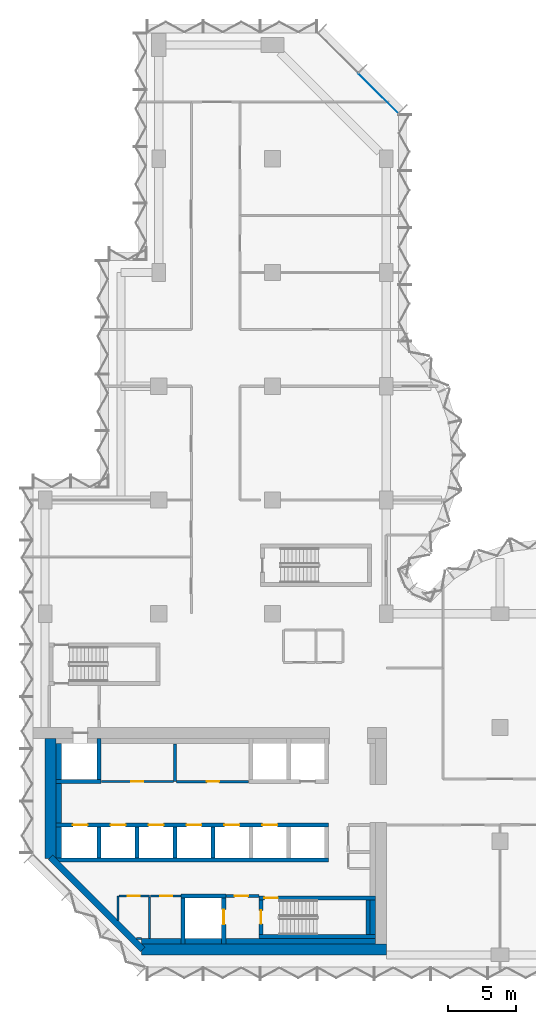
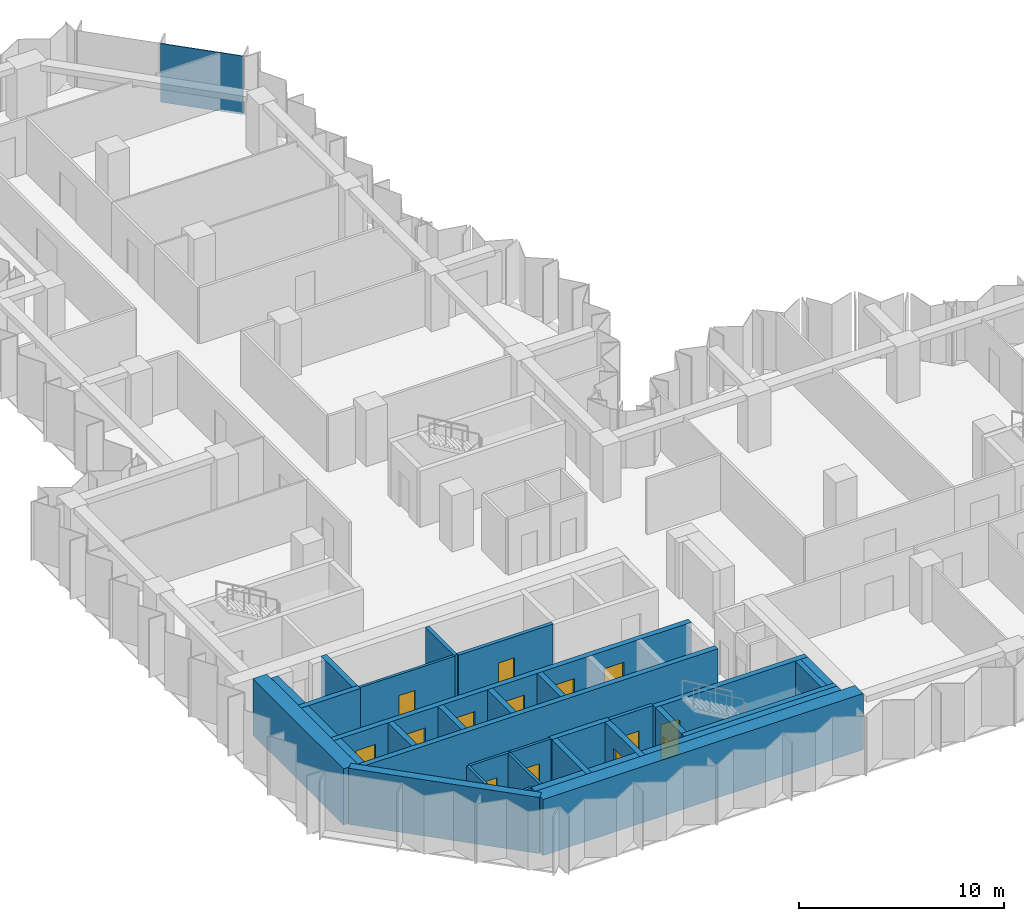
# One storey, part 5 of 11: 34 walls, 14 doors, 1 plate, 14 openings, 1 element without a shape of its own.
"""IFC4 building model written with IfcOpenShell, lengths in metres."""

from ifc_helpers import new_model, si_unit, direction, frame, frame_2d, origin, place, context, subcontext, project, spatial, polyline, rectangle, outline, extrude, material, layer, layer_set, type_object, element, fill, aggregate, save


model = new_model("IFC4")

# Units and contexts
model_context = context("Model", 3, precision=1e-05, world=origin(), true_north=direction((0.0, 1.0)))
body_context = subcontext(model_context, "Body", "Model", "MODEL_VIEW")
ifc_project = project(units=[si_unit("LENGTHUNIT", "METRE"), si_unit("AREAUNIT", "SQUARE_METRE"), si_unit("VOLUMEUNIT", "CUBIC_METRE"), si_unit("PLANEANGLEUNIT", "RADIAN"), si_unit("MASSUNIT", "GRAM", prefix="KILO")], contexts=[model_context])

# Site, building, storey
site_placement = place(None, origin())
site = spatial("IfcSite", under=ifc_project, at=site_placement, CompositionType="ELEMENT")
building_placement = place(site_placement, origin())
building = spatial("IfcBuilding", under=site, at=building_placement, Name="Brevane Broadcast Tower", CompositionType="ELEMENT")
storey_placement = place(building_placement, frame((0.0, 0.0, 145.699951171875)))
storey = spatial("IfcBuildingStorey", under=building, at=storey_placement, Name="L36", CompositionType="ELEMENT", Elevation=145.699951171875)

# Curtain wall, plate
ifc_material_1 = material(Name="Aluminium 6063-T6 bronze anodised", Category="aluminium")
curtain_wall_type = type_object("IfcCurtainWallType", Name="CW-1 curtain wall", PredefinedType="NOTDEFINED", material=ifc_material_1)
curtain_wall_placement = place(storey_placement, origin())
curtain_wall = element("IfcCurtainWall", 1, at=curtain_wall_placement, inside=storey, type_object=curtain_wall_type, Name="CW-1 typical tilted unit L36 north arm north-east chamfer", PredefinedType="NOTDEFINED")
ifc_material_2 = material(Name="Laminated glass bronze-tinted", Category="glass")
ifc_layer_1 = layer(ifc_material_2, 0.0400390625)
ifc_layer_set_1 = layer_set([ifc_layer_1], Name="CW tall glass panel 40")
plate_type = type_object("IfcPlateType", Name="CW tall glass panel 40", PredefinedType="CURTAIN_PANEL", material=ifc_layer_set_1)
plate_placement = place(storey_placement, frame((0.0, 0.0, -0.14990234375)))
plate = element("IfcPlate", 2, at=plate_placement, type_object=plate_type, Name="CW-1 glass panel", PredefinedType="CURTAIN_PANEL", context=body_context, shape_type="SweptSolid", body=[
    extrude(outline(polyline([(26.096435546875, 62.14599609375), (23.14599609375, 65.096435546875), (23.17431640625, 65.124755859375), (26.124755859375, 62.17431640625), (26.096435546875, 62.14599609375)])), origin(), (0.0, 0.0, 1.0), 3.5),
])
aggregate(curtain_wall, [plate])

# Walls
ifc_material_3 = material(Name="Concrete C32/40", Category="concrete")
ifc_layer_2 = layer(ifc_material_3, 0.39990234375)
ifc_layer_set_2 = layer_set([ifc_layer_2], Name="Core chase wall 400 mm")
wall_type_1 = type_object("IfcWallType", Name="Core chase wall 400 mm", PredefinedType="PARTITIONING", material=ifc_layer_set_2)
wall_1_placement = place(storey_placement, frame((1.0, 7.14990234375, 0.0), z_axis=(0.0, 0.0, 1.0), x_axis=(0.0, 1.0, 0.0)))
element("IfcWall", 3, at=wall_1_placement, inside=storey, type_object=wall_type_1, Name="L36 chase wall LW-2-1", PredefinedType="PARTITIONING", context=body_context, shape_type="SweptSolid", body=[
    extrude(rectangle(XDim=2.300048828125, YDim=0.39990234375, at=frame_2d((1.14990234375, 0.0))), origin(), (0.0, 0.0, 1.0), 3.35009765625),
])
wall_2_placement = place(storey_placement, frame((1.0, 9.75, 0.0), z_axis=(0.0, 0.0, 1.0), x_axis=(0.0, 1.0, 0.0)))
element("IfcWall", 4, at=wall_2_placement, inside=storey, type_object=wall_type_1, Name="L36 chase wall LW-2-2-1", PredefinedType="PARTITIONING", context=body_context, shape_type="SweptSolid", body=[
    extrude(rectangle(XDim=2.89990234375, YDim=0.39990234375, at=frame_2d((1.449951171875, 0.0))), origin(), (0.0, 0.0, 1.0), 3.35009765625),
])
wall_3_placement = place(storey_placement, frame((1.0, 12.949951171875, 0.0), z_axis=(0.0, 0.0, 1.0), x_axis=(0.0, 1.0, 0.0)))
element("IfcWall", 5, at=wall_3_placement, inside=storey, type_object=wall_type_1, Name="L36 chase wall LW-2-2-2", PredefinedType="PARTITIONING", context=body_context, shape_type="SweptSolid", body=[
    extrude(rectangle(XDim=2.650146484375, YDim=0.39990234375, at=frame_2d((1.3251953125, 0.0))), origin(), (0.0, 0.0, 1.0), 3.35009765625),
])
wall_4_placement = place(storey_placement, frame((7.136474609375, 1.0, 0.0), z_axis=(0.0, 0.0, 1.0), x_axis=(1.0, 0.0, 0.0)))
element("IfcWall", 6, at=wall_4_placement, inside=storey, type_object=wall_type_1, Name="L36 chase wall LS-1", PredefinedType="PARTITIONING", context=body_context, shape_type="SweptSolid", body=[
    extrude(rectangle(XDim=2.91357421875, YDim=0.39990234375, at=frame_2d((1.456787109375, 0.0))), origin(), (0.0, 0.0, 1.0), 3.35009765625),
])
wall_5_placement = place(storey_placement, frame((10.35009765625, 1.0, 0.0), z_axis=(0.0, 0.0, 1.0), x_axis=(1.0, 0.0, 0.0)))
element("IfcWall", 7, at=wall_5_placement, inside=storey, type_object=wall_type_1, Name="L36 chase wall LS-2-1", PredefinedType="PARTITIONING", context=body_context, shape_type="SweptSolid", body=[
    extrude(rectangle(XDim=2.699951171875, YDim=0.39990234375, at=frame_2d((1.35009765625, 0.0))), origin(), (0.0, 0.0, 1.0), 3.35009765625),
])
wall_6_placement = place(storey_placement, frame((13.35009765625, 1.0, 0.0), z_axis=(0.0, 0.0, 1.0), x_axis=(1.0, 0.0, 0.0)))
element("IfcWall", 8, at=wall_6_placement, inside=storey, type_object=wall_type_1, Name="L36 chase wall LS-2-2", PredefinedType="PARTITIONING", context=body_context, shape_type="SweptSolid", body=[
    extrude(rectangle(XDim=11.0498046875, YDim=0.39990234375, at=frame_2d((5.52490234375, 0.0))), origin(), (0.0, 0.0, 1.0), 3.35009765625),
])
wall_7_placement = place(storey_placement, frame((24.199951171875, 1.5, 0.0), z_axis=(0.0, 0.0, 1.0), x_axis=(0.0, 1.0, 0.0)))
element("IfcWall", 9, at=wall_7_placement, inside=storey, type_object=wall_type_1, Name="L36 chase wall LE1-2-1", PredefinedType="PARTITIONING", context=body_context, shape_type="SweptSolid", body=[
    extrude(rectangle(XDim=2.550048828125, YDim=0.39990234375, at=frame_2d((1.27490234375, 0.0))), origin(), (0.0, 0.0, 1.0), 3.35009765625),
])

# Wall, opening, door
ifc_material_4 = material(Name="Gypsum board on steel studs", Category="steel")
ifc_layer_3 = layer(ifc_material_4, 0.14990234375)
ifc_layer_set_3 = layer_set([ifc_layer_3], Name="Core fire partition 150 mm")
wall_type_2 = type_object("IfcWallType", Name="Core fire partition 150 mm", PredefinedType="PARTITIONING", material=ifc_layer_set_3)
wall_8_placement = place(storey_placement, frame((4.162109375, 12.800048828125, 0.0), z_axis=(0.0, 0.0, 1.0), x_axis=(1.0, 0.0, 0.0)))
wall_8 = element("IfcWall", 10, at=wall_8_placement, inside=storey, type_object=wall_type_2, Name="L36 partition wall P09", PredefinedType="PARTITIONING", context=body_context, shape_type="SweptSolid", body=[
    extrude(rectangle(XDim=5.337890625, YDim=0.14990234375, at=frame_2d((2.6689453125, 0.0))), origin(), (0.0, 0.0, 1.0), 3.35009765625),
])
opening_1_placement = place(wall_8_placement, frame((2.18798828125, 0.0, 0.0)))
opening_1 = element("IfcOpeningElement", 11, at=opening_1_placement, cuts=wall_8, Name="Opening L36-K21", PredefinedType="OPENING", context=body_context, shape_type="SweptSolid", body=[
    extrude(rectangle(XDim=0.89990234375, YDim=2.10009765625, at=frame_2d((0.449951171875, 1.050048828125))), frame((0.0, 0.0849609375, 0.0), z_axis=(0.0, -1.0, 0.0), x_axis=(1.0, 0.0, 0.0)), (0.0, 0.0, 1.0), 0.169921875),
])
ifc_material_5 = material(Name="Steel", Category="steel")
door_type_1 = type_object("IfcDoorType", Name="Service room door 900 x 2100", OperationType="SINGLE_SWING_LEFT", PredefinedType="DOOR", material=ifc_material_5)
door_1_placement = place(opening_1_placement, origin())
door_1 = element("IfcDoor", 12, at=door_1_placement, inside=storey, type_object=door_type_1, Name="Door L36-K21", OperationType="SINGLE_SWING_LEFT", OverallHeight=2.10009765625, OverallWidth=0.89990234375, PredefinedType="DOOR", context=body_context, shape_type="SweptSolid", body=[
    extrude(rectangle(XDim=0.89990234375, YDim=2.10009765625, at=frame_2d((0.449951171875, 1.050048828125))), frame((0.0, 0.02490234375, 0.0), z_axis=(0.0, -1.0, 0.0), x_axis=(1.0, 0.0, 0.0)), (0.0, 0.0, 1.0), 0.050048828125),
])
fill(opening_1, door_1)

# Wall
wall_9_placement = place(storey_placement, frame((5.39990234375, 2.553466796875, 0.0), z_axis=(0.0, 0.0, 1.0), x_axis=(0.0, 1.0, 0.0)))
element("IfcWall", 13, at=wall_9_placement, inside=storey, type_object=wall_type_2, Name="L36 partition wall P10", PredefinedType="PARTITIONING", context=body_context, shape_type="SweptSolid", body=[
    extrude(rectangle(XDim=1.796630859375, YDim=0.14990234375, at=frame_2d((0.8984375, 0.0))), origin(), (0.0, 0.0, 1.0), 3.35009765625),
])

# Wall, opening, door
wall_10_placement = place(storey_placement, frame((5.47509765625, 4.35009765625, 0.0), z_axis=(0.0, 0.0, 1.0), x_axis=(1.0, 0.0, 0.0)))
wall_10 = element("IfcWall", 14, at=wall_10_placement, inside=storey, type_object=wall_type_2, Name="L36 partition wall P11", PredefinedType="PARTITIONING", context=body_context, shape_type="SweptSolid", body=[
    extrude(rectangle(XDim=2.224853515625, YDim=0.14990234375, at=frame_2d((1.1123046875, 0.0))), origin(), (0.0, 0.0, 1.0), 3.35009765625),
])
opening_2_placement = place(wall_10_placement, frame((0.625, 0.0, 0.0)))
opening_2 = element("IfcOpeningElement", 15, at=opening_2_placement, cuts=wall_10, Name="Opening L36-K16", PredefinedType="OPENING", context=body_context, shape_type="SweptSolid", body=[
    extrude(rectangle(XDim=0.89990234375, YDim=2.10009765625, at=frame_2d((0.449951171875, 1.050048828125))), frame((0.0, 0.0849609375, 0.0), z_axis=(0.0, -1.0, 0.0), x_axis=(1.0, 0.0, 0.0)), (0.0, 0.0, 1.0), 0.169921875),
])
ifc_material_6 = material(Name="Timber", Category="wood")
door_type_2 = type_object("IfcDoorType", Name="Toilet door 900 x 2100", OperationType="SINGLE_SWING_LEFT", PredefinedType="DOOR", material=ifc_material_6)
door_2_placement = place(opening_2_placement, origin())
door_2 = element("IfcDoor", 16, at=door_2_placement, inside=storey, type_object=door_type_2, Name="Door L36-K16", OperationType="SINGLE_SWING_RIGHT", OverallHeight=2.10009765625, OverallWidth=0.89990234375, PredefinedType="DOOR", context=body_context, shape_type="SweptSolid", body=[
    extrude(rectangle(XDim=0.89990234375, YDim=2.10009765625, at=frame_2d((0.449951171875, 1.050048828125))), frame((0.0, 0.02490234375, 0.0), z_axis=(0.0, -1.0, 0.0), x_axis=(1.0, 0.0, 0.0)), (0.0, 0.0, 1.0), 0.050048828125),
])
fill(opening_2, door_2)

# Walls
wall_11_placement = place(storey_placement, frame((7.699951171875, 4.27490234375, 0.0), z_axis=(0.0, 0.0, 1.0), x_axis=(0.0, -1.0, 0.0)))
element("IfcWall", 17, at=wall_11_placement, inside=storey, type_object=wall_type_2, Name="L36 partition wall P12", PredefinedType="PARTITIONING", context=body_context, shape_type="SweptSolid", body=[
    extrude(rectangle(XDim=3.06298828125, YDim=0.14990234375, at=frame_2d((1.531494140625, 0.0))), origin(), (0.0, 0.0, 1.0), 3.35009765625),
])
wall_12_placement = place(storey_placement, frame((7.12451171875, 1.199951171875, 0.0), z_axis=(0.0, 0.0, 1.0), x_axis=(-1.0, 0.0, 0.0)))
element("IfcWall", 18, at=wall_12_placement, inside=storey, type_object=wall_type_2, Name="L36 partition wall P13", PredefinedType="PARTITIONING", context=body_context, shape_type="SweptSolid", body=[
    extrude(rectangle(XDim=0.37109375, YDim=0.14990234375, at=frame_2d((0.185546875, 0.0))), origin(), (0.0, 0.0, 1.0), 3.35009765625),
])

# Wall, opening, door
wall_13_placement = place(storey_placement, frame((10.0380859375, 4.35009765625, 0.0), z_axis=(0.0, 0.0, 1.0), x_axis=(-1.0, 0.0, 0.0)))
wall_13 = element("IfcWall", 19, at=wall_13_placement, inside=storey, type_object=wall_type_2, Name="L36 partition wall P14", PredefinedType="PARTITIONING", context=body_context, shape_type="SweptSolid", body=[
    extrude(rectangle(XDim=2.26318359375, YDim=0.14990234375, at=frame_2d((1.131591796875, 0.0))), origin(), (0.0, 0.0, 1.0), 3.35009765625),
])
opening_3_placement = place(wall_13_placement, frame((0.637939453125, 0.0, 0.0)))
opening_3 = element("IfcOpeningElement", 20, at=opening_3_placement, cuts=wall_13, Name="Opening L36-K17", PredefinedType="OPENING", context=body_context, shape_type="SweptSolid", body=[
    extrude(rectangle(XDim=0.89990234375, YDim=2.10009765625, at=frame_2d((0.449951171875, 1.050048828125))), frame((0.0, 0.0849609375, 0.0), z_axis=(0.0, -1.0, 0.0), x_axis=(1.0, 0.0, 0.0)), (0.0, 0.0, 1.0), 0.169921875),
])
door_3_placement = place(opening_3_placement, origin())
door_3 = element("IfcDoor", 21, at=door_3_placement, inside=storey, type_object=door_type_2, Name="Door L36-K17", OperationType="SINGLE_SWING_LEFT", OverallHeight=2.10009765625, OverallWidth=0.89990234375, PredefinedType="DOOR", context=body_context, shape_type="SweptSolid", body=[
    extrude(rectangle(XDim=0.89990234375, YDim=2.10009765625, at=frame_2d((0.449951171875, 1.050048828125))), frame((0.0, 0.02490234375, 0.0), z_axis=(0.0, -1.0, 0.0), x_axis=(1.0, 0.0, 0.0)), (0.0, 0.0, 1.0), 0.050048828125),
])
fill(opening_3, door_3)

ifc_layer_4 = layer(ifc_material_4, 0.199951171875)
ifc_layer_set_4 = layer_set([ifc_layer_4], Name="Core fire partition 200 mm")
wall_type_3 = type_object("IfcWallType", Name="Core fire partition 200 mm", PredefinedType="PARTITIONING", material=ifc_layer_set_4)
wall_14_placement = place(storey_placement, frame((13.362060546875, 4.35009765625, 0.0), z_axis=(0.0, 0.0, 1.0), x_axis=(1.0, 0.0, 0.0)))
wall_14 = element("IfcWall", 22, at=wall_14_placement, inside=storey, type_object=wall_type_3, Name="L36 partition wall P03", PredefinedType="PARTITIONING", context=body_context, shape_type="SweptSolid", body=[
    extrude(rectangle(XDim=2.426025390625, YDim=0.199951171875, at=frame_2d((1.212890625, 0.0))), origin(), (0.0, 0.0, 1.0), 3.35009765625),
])
opening_4_placement = place(wall_14_placement, frame((0.637939453125, 0.0, 0.0)))
opening_4 = element("IfcOpeningElement", 23, at=opening_4_placement, cuts=wall_14, Name="Opening L36-K18", PredefinedType="OPENING", context=body_context, shape_type="SweptSolid", body=[
    extrude(rectangle(XDim=1.0, YDim=2.10009765625, at=frame_2d((0.5, 1.050048828125))), frame((0.0, 0.10986328125, 0.0), z_axis=(0.0, -1.0, 0.0), x_axis=(1.0, 0.0, 0.0)), (0.0, 0.0, 1.0), 0.219970703125),
])
door_type_3 = type_object("IfcDoorType", Name="Stair door 1000 x 2100", OperationType="SINGLE_SWING_LEFT", PredefinedType="DOOR", material=ifc_material_5)
door_4_placement = place(opening_4_placement, origin())
door_4 = element("IfcDoor", 24, at=door_4_placement, inside=storey, type_object=door_type_3, Name="Door L36-K18", OperationType="SINGLE_SWING_RIGHT", OverallHeight=2.10009765625, OverallWidth=1.0, PredefinedType="DOOR", context=body_context, shape_type="SweptSolid", body=[
    extrude(rectangle(XDim=1.0, YDim=2.10009765625, at=frame_2d((0.5, 1.050048828125))), frame((0.0, 0.02490234375, 0.0), z_axis=(0.0, -1.0, 0.0), x_axis=(1.0, 0.0, 0.0)), (0.0, 0.0, 1.0), 0.050048828125),
])
fill(opening_4, door_4)

# Wall
wall_15_placement = place(storey_placement, frame((9.60009765625, 15.587890625, 0.0), z_axis=(0.0, 0.0, 1.0), x_axis=(0.0, -1.0, 0.0)))
element("IfcWall", 25, at=wall_15_placement, inside=storey, type_object=wall_type_3, Name="L36 partition wall P04", PredefinedType="PARTITIONING", context=body_context, shape_type="SweptSolid", body=[
    extrude(rectangle(XDim=2.787841796875, YDim=0.199951171875, at=frame_2d((1.39404296875, 0.0))), origin(), (0.0, 0.0, 1.0), 3.35009765625),
])

# Wall, opening, door
wall_16_placement = place(storey_placement, frame((9.699951171875, 12.800048828125, 0.0), z_axis=(0.0, 0.0, 1.0), x_axis=(1.0, 0.0, 0.0)))
wall_16 = element("IfcWall", 26, at=wall_16_placement, inside=storey, type_object=wall_type_3, Name="L36 partition wall P05", PredefinedType="PARTITIONING", context=body_context, shape_type="SweptSolid", body=[
    extrude(rectangle(XDim=5.338134765625, YDim=0.199951171875, at=frame_2d((2.6689453125, 0.0))), origin(), (0.0, 0.0, 1.0), 3.35009765625),
])
opening_5_placement = place(wall_16_placement, frame((2.25, 0.0, 0.0)))
opening_5 = element("IfcOpeningElement", 27, at=opening_5_placement, cuts=wall_16, Name="Opening L36-K22", PredefinedType="OPENING", context=body_context, shape_type="SweptSolid", body=[
    extrude(rectangle(XDim=0.89990234375, YDim=2.10009765625, at=frame_2d((0.449951171875, 1.050048828125))), frame((0.0, 0.10986328125, 0.0), z_axis=(0.0, -1.0, 0.0), x_axis=(1.0, 0.0, 0.0)), (0.0, 0.0, 1.0), 0.219970703125),
])
door_5_placement = place(opening_5_placement, origin())
door_5 = element("IfcDoor", 28, at=door_5_placement, inside=storey, type_object=door_type_1, Name="Door L36-K22", OperationType="SINGLE_SWING_RIGHT", OverallHeight=2.10009765625, OverallWidth=0.89990234375, PredefinedType="DOOR", context=body_context, shape_type="SweptSolid", body=[
    extrude(rectangle(XDim=0.89990234375, YDim=2.10009765625, at=frame_2d((0.449951171875, 1.050048828125))), frame((0.0, 0.02490234375, 0.0), z_axis=(0.0, -1.0, 0.0), x_axis=(1.0, 0.0, 0.0)), (0.0, 0.0, 1.0), 0.050048828125),
])
fill(opening_5, door_5)

# Wall
ifc_material_7 = material(Name="Concrete C60/75", Category="concrete")
ifc_layer_5 = layer(ifc_material_7, 0.300048828125)
ifc_layer_set_5 = layer_set([ifc_layer_5], Name="Core wall 300 mm C60/75")
wall_type_4 = type_object("IfcWallType", Name="Core wall 300 mm C60/75", PredefinedType="SHEAR", material=ifc_layer_set_5)
wall_17_placement = place(storey_placement, frame((0.800048828125, 7.0, 0.0), z_axis=(0.0, 0.0, 1.0), x_axis=(1.0, 0.0, 0.0)))
element("IfcWall", 29, at=wall_17_placement, inside=storey, type_object=wall_type_4, Name="L36 shaft wall SH-S012-back", PredefinedType="SHEAR", context=body_context, shape_type="SweptSolid", body=[
    extrude(rectangle(XDim=20.14990234375, YDim=0.300048828125, at=frame_2d((10.074951171875, 0.0))), origin(), (0.0, 0.0, 1.0), 3.35009765625),
])

# Wall, openings, doors
wall_18_placement = place(storey_placement, frame((0.800048828125, 9.60009765625, 0.0), z_axis=(0.0, 0.0, 1.0), x_axis=(1.0, 0.0, 0.0)))
wall_18 = element("IfcWall", 30, at=wall_18_placement, inside=storey, type_object=wall_type_4, Name="L36 shaft wall SH-S012-front", PredefinedType="SHEAR", context=body_context, shape_type="SweptSolid", body=[
    extrude(rectangle(XDim=20.14990234375, YDim=0.300048828125, at=frame_2d((10.074951171875, 0.0))), origin(), (0.0, 0.0, 1.0), 3.35009765625),
])
opening_6_placement = place(wall_18_placement, frame((1.25, 0.0, 0.0)))
opening_6 = element("IfcOpeningElement", 31, at=opening_6_placement, cuts=wall_18, Name="Opening LD", PredefinedType="OPENING", context=body_context, shape_type="SweptSolid", body=[
    extrude(rectangle(XDim=1.10009765625, YDim=2.300048828125, at=frame_2d((0.550048828125, 1.14990234375))), frame((0.0, 0.159912109375, 0.0), z_axis=(0.0, -1.0, 0.0), x_axis=(1.0, 0.0, 0.0)), (0.0, 0.0, 1.0), 0.320068359375),
])
opening_7_placement = place(wall_18_placement, frame((4.050048828125, 0.0, 0.0)))
opening_7 = element("IfcOpeningElement", 32, at=opening_7_placement, cuts=wall_18, Name="Opening LD", PredefinedType="OPENING", context=body_context, shape_type="SweptSolid", body=[
    extrude(rectangle(XDim=1.10009765625, YDim=2.300048828125, at=frame_2d((0.550048828125, 1.14990234375))), frame((0.0, 0.159912109375, 0.0), z_axis=(0.0, -1.0, 0.0), x_axis=(1.0, 0.0, 0.0)), (0.0, 0.0, 1.0), 0.320068359375),
])
opening_8_placement = place(wall_18_placement, frame((6.85009765625, 0.0, 0.0)))
opening_8 = element("IfcOpeningElement", 33, at=opening_8_placement, cuts=wall_18, Name="Opening LD", PredefinedType="OPENING", context=body_context, shape_type="SweptSolid", body=[
    extrude(rectangle(XDim=1.10009765625, YDim=2.300048828125, at=frame_2d((0.550048828125, 1.14990234375))), frame((0.0, 0.159912109375, 0.0), z_axis=(0.0, -1.0, 0.0), x_axis=(1.0, 0.0, 0.0)), (0.0, 0.0, 1.0), 0.320068359375),
])
opening_9_placement = place(wall_18_placement, frame((9.64990234375, 0.0, 0.0)))
opening_9 = element("IfcOpeningElement", 34, at=opening_9_placement, cuts=wall_18, Name="Opening LD", PredefinedType="OPENING", context=body_context, shape_type="SweptSolid", body=[
    extrude(rectangle(XDim=1.10009765625, YDim=2.300048828125, at=frame_2d((0.550048828125, 1.14990234375))), frame((0.0, 0.159912109375, 0.0), z_axis=(0.0, -1.0, 0.0), x_axis=(1.0, 0.0, 0.0)), (0.0, 0.0, 1.0), 0.320068359375),
])
opening_10_placement = place(wall_18_placement, frame((12.449951171875, 0.0, 0.0)))
opening_10 = element("IfcOpeningElement", 35, at=opening_10_placement, cuts=wall_18, Name="Opening LD", PredefinedType="OPENING", context=body_context, shape_type="SweptSolid", body=[
    extrude(rectangle(XDim=1.10009765625, YDim=2.300048828125, at=frame_2d((0.550048828125, 1.14990234375))), frame((0.0, 0.159912109375, 0.0), z_axis=(0.0, -1.0, 0.0), x_axis=(1.0, 0.0, 0.0)), (0.0, 0.0, 1.0), 0.320068359375),
])
opening_11_placement = place(wall_18_placement, frame((15.25, 0.0, 0.0)))
opening_11 = element("IfcOpeningElement", 36, at=opening_11_placement, cuts=wall_18, Name="Opening LD", PredefinedType="OPENING", context=body_context, shape_type="SweptSolid", body=[
    extrude(rectangle(XDim=1.10009765625, YDim=2.300048828125, at=frame_2d((0.550048828125, 1.14990234375))), frame((0.0, 0.159912109375, 0.0), z_axis=(0.0, -1.0, 0.0), x_axis=(1.0, 0.0, 0.0)), (0.0, 0.0, 1.0), 0.320068359375),
])
ifc_material_8 = material(Name="Stainless steel", Category="steel")
door_type_4 = type_object("IfcDoorType", Name="Lift landing door", OperationType="SLIDING_TO_LEFT", PredefinedType="DOOR", material=ifc_material_8)
door_6_placement = place(opening_6_placement, origin())
door_6 = element("IfcDoor", 37, at=door_6_placement, inside=storey, type_object=door_type_4, Name="Landing door LR1 L36", OperationType="SLIDING_TO_LEFT", OverallHeight=2.300048828125, OverallWidth=1.10009765625, PredefinedType="DOOR", context=body_context, shape_type="SweptSolid", body=[
    extrude(rectangle(XDim=1.10009765625, YDim=2.300048828125, at=frame_2d((0.550048828125, 1.14990234375))), frame((0.0, 0.02490234375, 0.0), z_axis=(0.0, -1.0, 0.0), x_axis=(1.0, 0.0, 0.0)), (0.0, 0.0, 1.0), 0.050048828125),
])
fill(opening_6, door_6)
door_7_placement = place(opening_7_placement, origin())
door_7 = element("IfcDoor", 38, at=door_7_placement, inside=storey, type_object=door_type_4, Name="Landing door LR2 L36", OperationType="SLIDING_TO_LEFT", OverallHeight=2.300048828125, OverallWidth=1.10009765625, PredefinedType="DOOR", context=body_context, shape_type="SweptSolid", body=[
    extrude(rectangle(XDim=1.10009765625, YDim=2.300048828125, at=frame_2d((0.550048828125, 1.14990234375))), frame((0.0, 0.02490234375, 0.0), z_axis=(0.0, -1.0, 0.0), x_axis=(1.0, 0.0, 0.0)), (0.0, 0.0, 1.0), 0.050048828125),
])
fill(opening_7, door_7)
door_8_placement = place(opening_8_placement, origin())
door_8 = element("IfcDoor", 39, at=door_8_placement, inside=storey, type_object=door_type_4, Name="Landing door LR3 L36", OperationType="SLIDING_TO_LEFT", OverallHeight=2.300048828125, OverallWidth=1.10009765625, PredefinedType="DOOR", context=body_context, shape_type="SweptSolid", body=[
    extrude(rectangle(XDim=1.10009765625, YDim=2.300048828125, at=frame_2d((0.550048828125, 1.14990234375))), frame((0.0, 0.02490234375, 0.0), z_axis=(0.0, -1.0, 0.0), x_axis=(1.0, 0.0, 0.0)), (0.0, 0.0, 1.0), 0.050048828125),
])
fill(opening_8, door_8)
door_9_placement = place(opening_9_placement, origin())
door_9 = element("IfcDoor", 40, at=door_9_placement, inside=storey, type_object=door_type_4, Name="Landing door LR4 L36", OperationType="SLIDING_TO_LEFT", OverallHeight=2.300048828125, OverallWidth=1.10009765625, PredefinedType="DOOR", context=body_context, shape_type="SweptSolid", body=[
    extrude(rectangle(XDim=1.10009765625, YDim=2.300048828125, at=frame_2d((0.550048828125, 1.14990234375))), frame((0.0, 0.02490234375, 0.0), z_axis=(0.0, -1.0, 0.0), x_axis=(1.0, 0.0, 0.0)), (0.0, 0.0, 1.0), 0.050048828125),
])
fill(opening_9, door_9)
door_10_placement = place(opening_10_placement, origin())
door_10 = element("IfcDoor", 41, at=door_10_placement, inside=storey, type_object=door_type_4, Name="Landing door LR5 L36", OperationType="SLIDING_TO_LEFT", OverallHeight=2.300048828125, OverallWidth=1.10009765625, PredefinedType="DOOR", context=body_context, shape_type="SweptSolid", body=[
    extrude(rectangle(XDim=1.10009765625, YDim=2.300048828125, at=frame_2d((0.550048828125, 1.14990234375))), frame((0.0, 0.02490234375, 0.0), z_axis=(0.0, -1.0, 0.0), x_axis=(1.0, 0.0, 0.0)), (0.0, 0.0, 1.0), 0.050048828125),
])
fill(opening_10, door_10)
door_11_placement = place(opening_11_placement, origin())
door_11 = element("IfcDoor", 42, at=door_11_placement, inside=storey, type_object=door_type_4, Name="Landing door LR6 L36", OperationType="SLIDING_TO_LEFT", OverallHeight=2.300048828125, OverallWidth=1.10009765625, PredefinedType="DOOR", context=body_context, shape_type="SweptSolid", body=[
    extrude(rectangle(XDim=1.10009765625, YDim=2.300048828125, at=frame_2d((0.550048828125, 1.14990234375))), frame((0.0, 0.02490234375, 0.0), z_axis=(0.0, -1.0, 0.0), x_axis=(1.0, 0.0, 0.0)), (0.0, 0.0, 1.0), 0.050048828125),
])
fill(opening_11, door_11)

# Walls
for number, where, z_axis, x_axis, name in (
    (43, (4.0, 7.14990234375, 0.0), (0.0, 0.0, 1.0), (0.0, 1.0, 0.0), "L36 shaft wall SH-S-P040"),
    (44, (6.800048828125, 7.14990234375, 0.0), (0.0, 0.0, 1.0), (0.0, 1.0, 0.0), "L36 shaft wall SH-S-P068"),
    (45, (9.60009765625, 7.14990234375, 0.0), (0.0, 0.0, 1.0), (0.0, 1.0, 0.0), "L36 shaft wall SH-S-P096"),
    (46, (12.39990234375, 7.14990234375, 0.0), (0.0, 0.0, 1.0), (0.0, 1.0, 0.0), "L36 shaft wall SH-S-P124"),
):
    element("IfcWall", number, at=place(storey_placement, frame(where, z_axis=z_axis, x_axis=x_axis)), inside=storey, type_object=wall_type_4, Name=name, PredefinedType="SHEAR", context=body_context, shape_type="SweptSolid", body=[
        extrude(rectangle(XDim=2.300048828125, YDim=0.300048828125, at=frame_2d((1.14990234375, 0.0))), origin(), (0.0, 0.0, 1.0), 3.35009765625),
    ])
wall_19_placement = place(storey_placement, frame((0.800048828125, 12.800048828125, 0.0), z_axis=(0.0, 0.0, 1.0), x_axis=(1.0, 0.0, 0.0)))
element("IfcWall", 47, at=wall_19_placement, inside=storey, type_object=wall_type_4, Name="L36 shaft wall SH-N012-front", PredefinedType="SHEAR", context=body_context, shape_type="SweptSolid", body=[
    extrude(rectangle(XDim=3.349853515625, YDim=0.300048828125, at=frame_2d((1.6748046875, 0.0))), origin(), (0.0, 0.0, 1.0), 3.35009765625),
])
wall_20_placement = place(storey_placement, frame((4.0, 12.949951171875, 0.0), z_axis=(0.0, 0.0, 1.0), x_axis=(0.0, 1.0, 0.0)))
element("IfcWall", 48, at=wall_20_placement, inside=storey, type_object=wall_type_4, Name="L36 shaft wall SH-N-P040", PredefinedType="SHEAR", context=body_context, shape_type="SweptSolid", body=[
    extrude(rectangle(XDim=3.050048828125, YDim=0.300048828125, at=frame_2d((1.52490234375, 0.0))), origin(), (0.0, 0.0, 1.0), 3.35009765625),
])
wall_21_placement = place(storey_placement, frame((10.199951171875, 0.800048828125, 0.0), z_axis=(0.0, 0.0, 1.0), x_axis=(0.0, 1.0, 0.0)))
element("IfcWall", 49, at=wall_21_placement, inside=storey, type_object=wall_type_4, Name="L36 shaft wall FF2-W", PredefinedType="SHEAR", context=body_context, shape_type="SweptSolid", body=[
    extrude(rectangle(XDim=3.39990234375, YDim=0.300048828125, at=frame_2d((1.699951171875, 0.0))), origin(), (0.0, 0.0, 1.0), 3.35009765625),
])

# Wall, opening, door
wall_22_placement = place(storey_placement, frame((13.199951171875, 0.800048828125, 0.0), z_axis=(0.0, 0.0, 1.0), x_axis=(0.0, 1.0, 0.0)))
wall_22 = element("IfcWall", 50, at=wall_22_placement, inside=storey, type_object=wall_type_4, Name="L36 shaft wall FF2-E", PredefinedType="SHEAR", context=body_context, shape_type="SweptSolid", body=[
    extrude(rectangle(XDim=3.39990234375, YDim=0.300048828125, at=frame_2d((1.699951171875, 0.0))), origin(), (0.0, 0.0, 1.0), 3.35009765625),
])
opening_12_placement = place(wall_22_placement, frame((1.449951171875, 0.0, 0.0)))
opening_12 = element("IfcOpeningElement", 51, at=opening_12_placement, cuts=wall_22, Name="Opening LD", PredefinedType="OPENING", context=body_context, shape_type="SweptSolid", body=[
    extrude(rectangle(XDim=1.10009765625, YDim=2.300048828125, at=frame_2d((0.550048828125, 1.14990234375))), frame((0.0, 0.159912109375, 0.0), z_axis=(0.0, -1.0, 0.0), x_axis=(1.0, 0.0, 0.0)), (0.0, 0.0, 1.0), 0.320068359375),
])
door_12_placement = place(opening_12_placement, origin())
door_12 = element("IfcDoor", 52, at=door_12_placement, inside=storey, type_object=door_type_4, Name="Landing door FF2 L36", OperationType="SLIDING_TO_LEFT", OverallHeight=2.300048828125, OverallWidth=1.10009765625, PredefinedType="DOOR", context=body_context, shape_type="SweptSolid", body=[
    extrude(rectangle(XDim=1.10009765625, YDim=2.300048828125, at=frame_2d((0.550048828125, 1.14990234375))), frame((0.0, 0.02490234375, 0.0), z_axis=(0.0, -1.0, 0.0), x_axis=(1.0, 0.0, 0.0)), (0.0, 0.0, 1.0), 0.050048828125),
])
fill(opening_12, door_12)

# Walls
wall_23_placement = place(storey_placement, frame((10.050048828125, 4.35009765625, 0.0), z_axis=(0.0, 0.0, 1.0), x_axis=(1.0, 0.0, 0.0)))
element("IfcWall", 53, at=wall_23_placement, inside=storey, type_object=wall_type_4, Name="L36 shaft wall FF2-N", PredefinedType="SHEAR", context=body_context, shape_type="SweptSolid", body=[
    extrude(rectangle(XDim=3.300048828125, YDim=0.300048828125, at=frame_2d((1.64990234375, 0.0))), origin(), (0.0, 0.0, 1.0), 3.35009765625),
])
wall_24_placement = place(storey_placement, frame((15.800048828125, 1.35009765625, 0.0), z_axis=(0.0, 0.0, 1.0), x_axis=(1.0, 0.0, 0.0)))
element("IfcWall", 54, at=wall_24_placement, inside=storey, type_object=wall_type_4, Name="L36 stair wall ST-2-S", PredefinedType="SHEAR", context=body_context, shape_type="SweptSolid", body=[
    extrude(rectangle(XDim=8.599853515625, YDim=0.300048828125, at=frame_2d((4.2998046875, 0.0))), origin(), (0.0, 0.0, 1.0), 3.35009765625),
])

# Wall, opening, door
wall_25_placement = place(storey_placement, frame((15.800048828125, 4.199951171875, 0.0), z_axis=(0.0, 0.0, 1.0), x_axis=(1.0, 0.0, 0.0)))
wall_25 = element("IfcWall", 55, at=wall_25_placement, inside=storey, type_object=wall_type_4, Name="L36 stair wall ST-2-N", PredefinedType="SHEAR", context=body_context, shape_type="SweptSolid", body=[
    extrude(rectangle(XDim=8.599853515625, YDim=0.300048828125, at=frame_2d((4.2998046875, 0.0))), origin(), (0.0, 0.0, 1.0), 3.35009765625),
])
opening_13_placement = place(wall_25_placement, frame((0.39990234375, 0.0, 0.0)))
opening_13 = element("IfcOpeningElement", 56, at=opening_13_placement, cuts=wall_25, Name="Opening L36-K13", PredefinedType="OPENING", context=body_context, shape_type="SweptSolid", body=[
    extrude(rectangle(XDim=1.0, YDim=2.10009765625, at=frame_2d((0.5, 1.050048828125))), frame((0.0, 0.159912109375, 0.0), z_axis=(0.0, -1.0, 0.0), x_axis=(1.0, 0.0, 0.0)), (0.0, 0.0, 1.0), 0.320068359375),
])
door_13_placement = place(opening_13_placement, origin())
door_13 = element("IfcDoor", 57, at=door_13_placement, inside=storey, type_object=door_type_3, Name="Door L36-K13", OperationType="SINGLE_SWING_LEFT", OverallHeight=2.10009765625, OverallWidth=1.0, PredefinedType="DOOR", context=body_context, shape_type="SweptSolid", body=[
    extrude(rectangle(XDim=1.0, YDim=2.10009765625, at=frame_2d((0.5, 1.050048828125))), frame((0.0, 0.02490234375, 0.0), z_axis=(0.0, -1.0, 0.0), x_axis=(1.0, 0.0, 0.0)), (0.0, 0.0, 1.0), 0.050048828125),
])
fill(opening_13, door_13)

wall_26_placement = place(storey_placement, frame((15.949951171875, 1.5, 0.0), z_axis=(0.0, 0.0, 1.0), x_axis=(0.0, 1.0, 0.0)))
wall_26 = element("IfcWall", 58, at=wall_26_placement, inside=storey, type_object=wall_type_4, Name="L36 stair wall ST-2-W", PredefinedType="SHEAR", context=body_context, shape_type="SweptSolid", body=[
    extrude(rectangle(XDim=2.550048828125, YDim=0.300048828125, at=frame_2d((1.27490234375, 0.0))), origin(), (0.0, 0.0, 1.0), 3.35009765625),
])
opening_14_placement = place(wall_26_placement, frame((0.800048828125, 0.0, 0.0)))
opening_14 = element("IfcOpeningElement", 59, at=opening_14_placement, cuts=wall_26, Name="Opening L36-K12", PredefinedType="OPENING", context=body_context, shape_type="SweptSolid", body=[
    extrude(rectangle(XDim=1.0, YDim=2.10009765625, at=frame_2d((0.5, 1.050048828125))), frame((0.0, 0.159912109375, 0.0), z_axis=(0.0, -1.0, 0.0), x_axis=(1.0, 0.0, 0.0)), (0.0, 0.0, 1.0), 0.320068359375),
])
door_14_placement = place(opening_14_placement, origin())
door_14 = element("IfcDoor", 60, at=door_14_placement, inside=storey, type_object=door_type_3, Name="Door L36-K12", OperationType="SINGLE_SWING_RIGHT", OverallHeight=2.10009765625, OverallWidth=1.0, PredefinedType="DOOR", context=body_context, shape_type="SweptSolid", body=[
    extrude(rectangle(XDim=1.0, YDim=2.10009765625, at=frame_2d((0.5, 1.050048828125))), frame((0.0, 0.02490234375, 0.0), z_axis=(0.0, -1.0, 0.0), x_axis=(1.0, 0.0, 0.0)), (0.0, 0.0, 1.0), 0.050048828125),
])
fill(opening_14, door_14)

# Walls
wall_27_placement = place(storey_placement, frame((23.85009765625, 1.5, 0.0), z_axis=(0.0, 0.0, 1.0), x_axis=(0.0, 1.0, 0.0)))
element("IfcWall", 61, at=wall_27_placement, inside=storey, type_object=wall_type_4, Name="L36 stair wall ST-2-E", PredefinedType="SHEAR", context=body_context, shape_type="SweptSolid", body=[
    extrude(rectangle(XDim=2.550048828125, YDim=0.300048828125, at=frame_2d((1.27490234375, 0.0))), origin(), (0.0, 0.0, 1.0), 3.35009765625),
])
ifc_layer_6 = layer(ifc_material_7, 0.449951171875)
ifc_layer_set_6 = layer_set([ifc_layer_6], Name="Core wall 450 mm C60/75")
wall_type_5 = type_object("IfcWallType", Name="Core wall 450 mm C60/75", PredefinedType="SHEAR", material=ifc_layer_set_6)
wall_28_placement = place(storey_placement, frame((0.39990234375, 7.21826171875, 0.0), z_axis=(0.0, 0.0, 1.0), x_axis=(0.707106781187, -0.707106781187, 0.0)))
element("IfcWall", 62, at=wall_28_placement, inside=storey, type_object=wall_type_5, Name="L36 outer wall WC", PredefinedType="SHEAR", context=body_context, shape_type="SweptSolid", body=[
    extrude(rectangle(XDim=9.642578125, YDim=0.449951171875, at=frame_2d((4.8212890625, 0.0))), origin(), (0.0, 0.0, 1.0), 3.35009765625),
])
ifc_layer_7 = layer(ifc_material_7, 0.800048828125)
ifc_layer_set_7 = layer_set([ifc_layer_7], Name="Core wall 800 mm C60/75")
wall_type_6 = type_object("IfcWallType", Name="Core wall 800 mm C60/75", PredefinedType="SHEAR", material=ifc_layer_set_7)
wall_29_placement = place(storey_placement, frame((7.136474609375, 0.39990234375, 0.0), z_axis=(0.0, 0.0, 1.0), x_axis=(1.0, 0.0, 0.0)))
element("IfcWall", 63, at=wall_29_placement, inside=storey, type_object=wall_type_6, Name="L36 outer wall WS", PredefinedType="SHEAR", context=body_context, shape_type="SweptSolid", body=[
    extrude(rectangle(XDim=18.0634765625, YDim=0.800048828125, at=frame_2d((9.03173828125, 0.0))), origin(), (0.0, 0.0, 1.0), 3.35009765625),
])
wall_30_placement = place(storey_placement, frame((0.39990234375, 7.136474609375, 0.0), z_axis=(0.0, 0.0, 1.0), x_axis=(0.0, 1.0, 0.0)))
element("IfcWall", 64, at=wall_30_placement, inside=storey, type_object=wall_type_6, Name="L36 outer wall WW", PredefinedType="SHEAR", context=body_context, shape_type="SweptSolid", body=[
    extrude(rectangle(XDim=8.863525390625, YDim=0.800048828125, at=frame_2d((4.431640625, 0.0))), origin(), (0.0, 0.0, 1.0), 3.35009765625),
])

save(model, "model.ifc")
